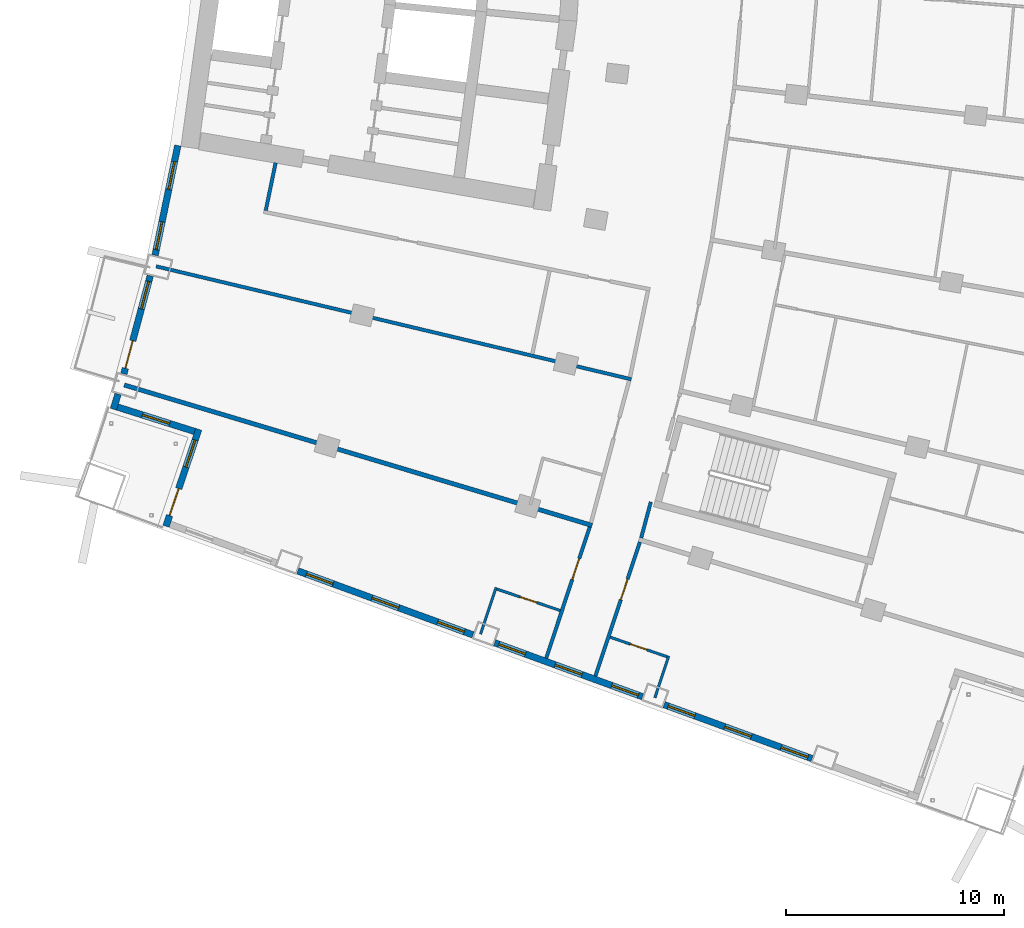
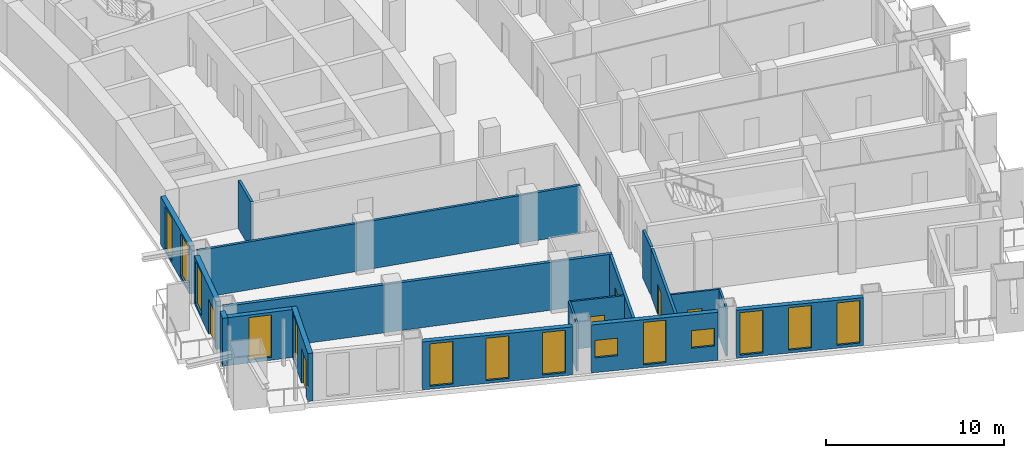
# One storey, part 13 of 25: 18 walls, 14 windows, 6 doors, 20 openings.
"""IFC4 building model written with IfcOpenShell, lengths in metres."""

from ifc_helpers import new_model, si_unit, direction, frame, frame_2d, origin, place, context, subcontext, project, spatial, rectangle, extrude, material, layer, layer_set, type_object, element, fill, save


model = new_model("IFC4")

# Units and contexts
model_context = context("Model", 3, precision=1e-05, world=origin(), true_north=direction((0.0, 1.0)))
body_context = subcontext(model_context, "Body", "Model", "MODEL_VIEW")
ifc_project = project(units=[si_unit("LENGTHUNIT", "METRE"), si_unit("AREAUNIT", "SQUARE_METRE"), si_unit("VOLUMEUNIT", "CUBIC_METRE"), si_unit("PLANEANGLEUNIT", "RADIAN"), si_unit("MASSUNIT", "GRAM", prefix="KILO")], contexts=[model_context])

# Site, building, storey
site_placement = place(None, origin())
site = spatial("IfcSite", under=ifc_project, at=site_placement, CompositionType="ELEMENT")
building_placement = place(site_placement, origin())
building = spatial("IfcBuilding", under=site, at=building_placement, Name="Alderwake Tower", CompositionType="ELEMENT")
storey_placement = place(building_placement, frame((0.0, 0.0, 122.0)))
storey = spatial("IfcBuildingStorey", under=building, at=storey_placement, Name="L30", CompositionType="ELEMENT", Elevation=122.0)

# Walls
ifc_material_1 = material(Name="Gypsum board on metal studs, rated")
ifc_layer_1 = layer(ifc_material_1, 0.159912109375)
ifc_layer_set_1 = layer_set([ifc_layer_1], Name="Corridor wall 160")
wall_type_1 = type_object("IfcWallType", Name="Corridor wall 160", PredefinedType="PARTITIONING", material=ifc_layer_set_1)
wall_1_placement = place(storey_placement, frame((13.884033203125, 38.68798828125, 0.0), z_axis=(0.0, 0.0, 1.0), x_axis=(0.972893462073, -0.231253781493, 0.0)))
element("IfcWall", 1, at=wall_1_placement, inside=storey, type_object=wall_type_1, Name="WL/L30/W16", PredefinedType="PARTITIONING", context=body_context, shape_type="SweptSolid", body=[
    extrude(rectangle(XDim=22.38037109375, YDim=0.159912109375, at=frame_2d((11.190185546875, 0.0))), origin(), (0.0, 0.0, 1.0), 3.280029296875),
])
wall_2_placement = place(storey_placement, frame((19.35888671875, 43.430908203125, 0.0), z_axis=(0.0, 0.0, 1.0), x_axis=(-0.202554916658, -0.979270905183, 0.0)))
element("IfcWall", 2, at=wall_2_placement, inside=storey, type_object=wall_type_1, Name="WL/L30/W19", PredefinedType="PARTITIONING", context=body_context, shape_type="SweptSolid", body=[
    extrude(rectangle(XDim=2.229736328125, YDim=0.159912109375, at=frame_2d((1.11474609375, 0.0))), origin(), (0.0, 0.0, 1.0), 3.280029296875),
])

# Wall, opening, door
wall_3_placement = place(storey_placement, frame((31.7548828125, 20.739013671875, 0.0), z_axis=(0.0, 0.0, 1.0), x_axis=(0.31554473692, 0.948910701279, 0.0)))
wall_3 = element("IfcWall", 3, at=wall_3_placement, inside=storey, type_object=wall_type_1, Name="WL/L30/W21", PredefinedType="PARTITIONING", context=body_context, shape_type="SweptSolid", body=[
    extrude(rectangle(XDim=6.327392578125, YDim=0.159912109375, at=frame_2d((3.16357421875, 0.0))), origin(), (0.0, 0.0, 1.0), 3.280029296875),
])
opening_1_placement = place(wall_3_placement, frame((3.799072265625, 0.0, 0.0)))
opening_1 = element("IfcOpeningElement", 4, at=opening_1_placement, cuts=wall_3, Name="Opening R08-U11.1", PredefinedType="OPENING", context=body_context, shape_type="SweptSolid", body=[
    extrude(rectangle(XDim=1.0, YDim=2.10009765625, at=frame_2d((0.5, 1.050048828125))), frame((0.0, 0.08984375, 0.0), z_axis=(0.0, -1.0, 0.0), x_axis=(1.0, 0.0, 0.0)), (0.0, 0.0, 1.0), 0.179931640625),
])
ifc_material_2 = material(Name="Solid timber leaf in steel frame", Category="steel")
door_type_1 = type_object("IfcDoorType", Name="Flat entrance door 1000 fire-rated", OperationType="SINGLE_SWING_LEFT", PredefinedType="DOOR", material=ifc_material_2)
door_1_placement = place(opening_1_placement, origin())
door_1 = element("IfcDoor", 5, at=door_1_placement, inside=storey, type_object=door_type_1, Name="DR/L30/U11.1", OperationType="SINGLE_SWING_LEFT", OverallHeight=2.10009765625, OverallWidth=1.0, PredefinedType="DOOR", context=body_context, shape_type="SweptSolid", body=[
    extrude(rectangle(XDim=1.0, YDim=2.10009765625, at=frame_2d((0.5, 1.050048828125))), frame((0.0, 0.02490234375, 0.0), z_axis=(0.0, -1.0, 0.0), x_axis=(1.0, 0.0, 0.0)), (0.0, 0.0, 1.0), 0.050048828125),
])
fill(opening_1, door_1)

wall_4_placement = place(storey_placement, frame((36.049560546875, 26.052978515625, 0.0), z_axis=(0.0, 0.0, 1.0), x_axis=(-0.315151894598, -0.949041244273, 0.0)))
wall_4 = element("IfcWall", 6, at=wall_4_placement, inside=storey, type_object=wall_type_1, Name="WL/L30/W23", PredefinedType="PARTITIONING", context=body_context, shape_type="SweptSolid", body=[
    extrude(rectangle(XDim=6.468505859375, YDim=0.159912109375, at=frame_2d((3.234375, 0.0))), origin(), (0.0, 0.0, 1.0), 3.280029296875),
])
opening_2_placement = place(wall_4_placement, frame((1.7822265625, 0.0, 0.0)))
opening_2 = element("IfcOpeningElement", 7, at=opening_2_placement, cuts=wall_4, Name="Opening R08-U03.1", PredefinedType="OPENING", context=body_context, shape_type="SweptSolid", body=[
    extrude(rectangle(XDim=1.0, YDim=2.10009765625, at=frame_2d((0.5, 1.050048828125))), frame((0.0, 0.08984375, 0.0), z_axis=(0.0, -1.0, 0.0), x_axis=(1.0, 0.0, 0.0)), (0.0, 0.0, 1.0), 0.179931640625),
])
door_2_placement = place(opening_2_placement, origin())
door_2 = element("IfcDoor", 8, at=door_2_placement, inside=storey, type_object=door_type_1, Name="DR/L30/U03.1", OperationType="SINGLE_SWING_LEFT", OverallHeight=2.10009765625, OverallWidth=1.0, PredefinedType="DOOR", context=body_context, shape_type="SweptSolid", body=[
    extrude(rectangle(XDim=1.0, YDim=2.10009765625, at=frame_2d((0.5, 1.050048828125))), frame((0.0, 0.02490234375, 0.0), z_axis=(0.0, -1.0, 0.0), x_axis=(1.0, 0.0, 0.0)), (0.0, 0.0, 1.0), 0.050048828125),
])
fill(opening_2, door_2)

# Walls
wall_5_placement = place(storey_placement, frame((36.10693359375, 26.24462890625, 0.0), z_axis=(0.0, 0.0, 1.0), x_axis=(0.259346865847, 0.965784242559, 0.0)))
element("IfcWall", 9, at=wall_5_placement, inside=storey, type_object=wall_type_1, Name="WL/L30/W27", PredefinedType="PARTITIONING", context=body_context, shape_type="SweptSolid", body=[
    extrude(rectangle(XDim=1.704833984375, YDim=0.159912109375, at=frame_2d((0.8525390625, 0.0))), origin(), (0.0, 0.0, 1.0), 3.280029296875),
])
ifc_material_3 = material(Name="Precast concrete C50/60 spandrel panel", Category="concrete")
ifc_layer_2 = layer(ifc_material_3, 0.300048828125)
ifc_layer_set_2 = layer_set([ifc_layer_2], Name="External wall EW1 Precast concrete C50/60 spandrel")
wall_type_2 = type_object("IfcWallType", Name="External wall EW1 Precast concrete C50/60 spandrel", PredefinedType="SOLIDWALL", material=ifc_layer_set_2)
wall_6_placement = place(storey_placement, frame((12.14013671875, 32.83837890625, 0.0), z_axis=(0.0, 0.0, 1.0), x_axis=(-0.294604532955, -0.955619259518, 0.0)))
element("IfcWall", 10, at=wall_6_placement, inside=storey, type_object=wall_type_2, Name="External wall 1", PredefinedType="SOLIDWALL", context=body_context, shape_type="SweptSolid", body=[
    extrude(rectangle(XDim=0.7275390625, YDim=0.300048828125, at=frame_2d((0.36376953125, 0.0))), origin(), (0.0, 0.0, 1.0), 3.280029296875),
])

# Wall, openings, windows
wall_7_placement = place(storey_placement, frame((14.878173828125, 44.223388671875, 0.0), z_axis=(0.0, 0.0, 1.0), x_axis=(-0.202723539143, -0.979236011734, 0.0)))
wall_7 = element("IfcWall", 11, at=wall_7_placement, inside=storey, type_object=wall_type_2, Name="External wall 35", PredefinedType="SOLIDWALL", context=body_context, shape_type="SweptSolid", body=[
    extrude(rectangle(XDim=5.134033203125, YDim=0.300048828125, at=frame_2d((2.56689453125, 0.0))), origin(), (0.0, 0.0, 1.0), 3.280029296875),
])
opening_3_placement = place(wall_7_placement, frame((0.75634765625, 0.0, 0.199951171875)))
opening_3 = element("IfcOpeningElement", 12, at=opening_3_placement, cuts=wall_7, Name="Opening W1", PredefinedType="OPENING", context=body_context, shape_type="SweptSolid", body=[
    extrude(rectangle(XDim=1.300048828125, YDim=2.89990234375, at=frame_2d((0.64990234375, 1.449951171875))), frame((0.0, 0.159912109375, 0.0), z_axis=(0.0, -1.0, 0.0), x_axis=(1.0, 0.0, 0.0)), (0.0, 0.0, 1.0), 0.320068359375),
])
opening_4_placement = place(wall_7_placement, frame((3.569091796875, 0.0, 0.199951171875)))
opening_4 = element("IfcOpeningElement", 13, at=opening_4_placement, cuts=wall_7, Name="Opening W1", PredefinedType="OPENING", context=body_context, shape_type="SweptSolid", body=[
    extrude(rectangle(XDim=1.300048828125, YDim=2.89990234375, at=frame_2d((0.64990234375, 1.449951171875))), frame((0.0, 0.159912109375, 0.0), z_axis=(0.0, -1.0, 0.0), x_axis=(1.0, 0.0, 0.0)), (0.0, 0.0, 1.0), 0.320068359375),
])
ifc_material_4 = material(Name="Bronze tinted glass in aluminium frame", Category="aluminium")
window_type_1 = type_object("IfcWindowType", Name="Window W1 tall fixed and vent", PartitioningType="DOUBLE_PANEL_VERTICAL", PredefinedType="WINDOW", material=ifc_material_4)
window_1_placement = place(opening_3_placement, origin())
window_1 = element("IfcWindow", 14, at=window_1_placement, inside=storey, type_object=window_type_1, Name="Window W1 tall fixed and vent", OverallHeight=2.89990234375, OverallWidth=1.300048828125, PartitioningType="DOUBLE_PANEL_VERTICAL", PredefinedType="WINDOW", context=body_context, shape_type="SweptSolid", body=[
    extrude(rectangle(XDim=1.300048828125, YDim=2.89990234375, at=frame_2d((0.64990234375, 1.449951171875))), frame((0.0, 0.030029296875, 0.0), z_axis=(0.0, -1.0, 0.0), x_axis=(1.0, 0.0, 0.0)), (0.0, 0.0, 1.0), 0.06005859375),
])
fill(opening_3, window_1)
window_2_placement = place(opening_4_placement, origin())
window_2 = element("IfcWindow", 15, at=window_2_placement, inside=storey, type_object=window_type_1, Name="Window W1 tall fixed and vent", OverallHeight=2.89990234375, OverallWidth=1.300048828125, PartitioningType="DOUBLE_PANEL_VERTICAL", PredefinedType="WINDOW", context=body_context, shape_type="SweptSolid", body=[
    extrude(rectangle(XDim=1.300048828125, YDim=2.89990234375, at=frame_2d((0.64990234375, 1.449951171875))), frame((0.0, 0.030029296875, 0.0), z_axis=(0.0, -1.0, 0.0), x_axis=(1.0, 0.0, 0.0)), (0.0, 0.0, 1.0), 0.06005859375),
])
fill(opening_4, window_2)

# Wall, openings, door, window
wall_8_placement = place(storey_placement, frame((13.61328125, 38.254150390625, 0.0), z_axis=(0.0, 0.0, 1.0), x_axis=(-0.259468933642, -0.965751454814, 0.0)))
wall_8 = element("IfcWall", 16, at=wall_8_placement, inside=storey, type_object=wall_type_2, Name="External wall 36", PredefinedType="SOLIDWALL", context=body_context, shape_type="SweptSolid", body=[
    extrude(rectangle(XDim=4.65087890625, YDim=0.300048828125, at=frame_2d((2.325439453125, 0.0))), origin(), (0.0, 0.0, 1.0), 3.280029296875),
])
opening_5_placement = place(wall_8_placement, frame((0.26708984375, 0.0, 0.199951171875)))
opening_5 = element("IfcOpeningElement", 17, at=opening_5_placement, cuts=wall_8, Name="Opening W1", PredefinedType="OPENING", context=body_context, shape_type="SweptSolid", body=[
    extrude(rectangle(XDim=1.300048828125, YDim=2.89990234375, at=frame_2d((0.64990234375, 1.449951171875))), frame((0.0, 0.159912109375, 0.0), z_axis=(0.0, -1.0, 0.0), x_axis=(1.0, 0.0, 0.0)), (0.0, 0.0, 1.0), 0.320068359375),
])
opening_6_placement = place(wall_8_placement, frame((3.083984375, 0.0, 0.0)))
opening_6 = element("IfcOpeningElement", 18, at=opening_6_placement, cuts=wall_8, Name="Opening D16", PredefinedType="OPENING", context=body_context, shape_type="SweptSolid", body=[
    extrude(rectangle(XDim=1.300048828125, YDim=2.39990234375, at=frame_2d((0.64990234375, 1.199951171875))), frame((0.0, 0.159912109375, 0.0), z_axis=(0.0, -1.0, 0.0), x_axis=(1.0, 0.0, 0.0)), (0.0, 0.0, 1.0), 0.320068359375),
])
ifc_material_5 = material(Name="Bronze tinted glass in aluminium frame", Category="aluminium")
door_type_2 = type_object("IfcDoorType", Name="Balcony door BD sliding", OperationType="SLIDING_TO_LEFT", PredefinedType="DOOR", material=ifc_material_5)
door_3_placement = place(opening_6_placement, origin())
door_3 = element("IfcDoor", 19, at=door_3_placement, inside=storey, type_object=door_type_2, Name="Door D16", OperationType="SLIDING_TO_LEFT", OverallHeight=2.39990234375, OverallWidth=1.300048828125, PredefinedType="DOOR", context=body_context, shape_type="SweptSolid", body=[
    extrude(rectangle(XDim=1.300048828125, YDim=2.39990234375, at=frame_2d((0.64990234375, 1.199951171875))), frame((0.0, 0.02490234375, 0.0), z_axis=(0.0, -1.0, 0.0), x_axis=(1.0, 0.0, 0.0)), (0.0, 0.0, 1.0), 0.050048828125),
])
fill(opening_6, door_3)
window_3_placement = place(opening_5_placement, origin())
window_3 = element("IfcWindow", 20, at=window_3_placement, inside=storey, type_object=window_type_1, Name="Window W1 tall fixed and vent", OverallHeight=2.89990234375, OverallWidth=1.300048828125, PartitioningType="DOUBLE_PANEL_VERTICAL", PredefinedType="WINDOW", context=body_context, shape_type="SweptSolid", body=[
    extrude(rectangle(XDim=1.300048828125, YDim=2.89990234375, at=frame_2d((0.64990234375, 1.449951171875))), frame((0.0, 0.030029296875, 0.0), z_axis=(0.0, -1.0, 0.0), x_axis=(1.0, 0.0, 0.0)), (0.0, 0.0, 1.0), 0.06005859375),
])
fill(opening_5, window_3)

# Wall, opening, window
ifc_material_6 = material(Name="Bronze metal cladding on lightweight framing")
ifc_layer_3 = layer(ifc_material_6, 0.300048828125)
ifc_layer_set_3 = layer_set([ifc_layer_3], Name="External wall EW2 bronze metal cladding")
wall_type_3 = type_object("IfcWallType", Name="External wall EW2 bronze metal cladding", PredefinedType="SOLIDWALL", material=ifc_layer_set_3)
wall_9_placement = place(storey_placement, frame((12.113037109375, 32.2412109375, 0.0), z_axis=(0.0, 0.0, 1.0), x_axis=(0.953458128271, -0.301525451054, 0.0)))
wall_9 = element("IfcWall", 21, at=wall_9_placement, inside=storey, type_object=wall_type_3, Name="External wall 2", PredefinedType="SOLIDWALL", context=body_context, shape_type="SweptSolid", body=[
    extrude(rectangle(XDim=3.705810546875, YDim=0.300048828125, at=frame_2d((1.85302734375, 0.0))), origin(), (0.0, 0.0, 1.0), 3.280029296875),
])
opening_7_placement = place(wall_9_placement, frame((1.202880859375, 0.0, 0.199951171875)))
opening_7 = element("IfcOpeningElement", 22, at=opening_7_placement, cuts=wall_9, Name="Opening W1", PredefinedType="OPENING", context=body_context, shape_type="SweptSolid", body=[
    extrude(rectangle(XDim=1.300048828125, YDim=2.89990234375, at=frame_2d((0.64990234375, 1.449951171875))), frame((0.0, 0.159912109375, 0.0), z_axis=(0.0, -1.0, 0.0), x_axis=(1.0, 0.0, 0.0)), (0.0, 0.0, 1.0), 0.320068359375),
])
window_4_placement = place(opening_7_placement, origin())
window_4 = element("IfcWindow", 23, at=window_4_placement, inside=storey, type_object=window_type_1, Name="Window W1 tall fixed and vent", OverallHeight=2.89990234375, OverallWidth=1.300048828125, PartitioningType="DOUBLE_PANEL_VERTICAL", PredefinedType="WINDOW", context=body_context, shape_type="SweptSolid", body=[
    extrude(rectangle(XDim=1.300048828125, YDim=2.89990234375, at=frame_2d((0.64990234375, 1.449951171875))), frame((0.0, 0.030029296875, 0.0), z_axis=(0.0, -1.0, 0.0), x_axis=(1.0, 0.0, 0.0)), (0.0, 0.0, 1.0), 0.06005859375),
])
fill(opening_7, window_4)

# Wall, openings, door, window
wall_10_placement = place(storey_placement, frame((15.83740234375, 31.220703125, 0.0), z_axis=(0.0, 0.0, 1.0), x_axis=(-0.32041006121, -0.947278941324, 0.0)))
wall_10 = element("IfcWall", 24, at=wall_10_placement, inside=storey, type_object=wall_type_3, Name="External wall 3", PredefinedType="SOLIDWALL", context=body_context, shape_type="SweptSolid", body=[
    extrude(rectangle(XDim=4.68994140625, YDim=0.300048828125, at=frame_2d((2.344970703125, 0.0))), origin(), (0.0, 0.0, 1.0), 3.280029296875),
])
opening_8_placement = place(wall_10_placement, frame((0.5224609375, 0.0, 0.199951171875)))
opening_8 = element("IfcOpeningElement", 25, at=opening_8_placement, cuts=wall_10, Name="Opening W1", PredefinedType="OPENING", context=body_context, shape_type="SweptSolid", body=[
    extrude(rectangle(XDim=1.300048828125, YDim=2.89990234375, at=frame_2d((0.64990234375, 1.449951171875))), frame((0.0, 0.159912109375, 0.0), z_axis=(0.0, -1.0, 0.0), x_axis=(1.0, 0.0, 0.0)), (0.0, 0.0, 1.0), 0.320068359375),
])
opening_9_placement = place(wall_10_placement, frame((2.867431640625, 0.0, 0.0)))
opening_9 = element("IfcOpeningElement", 26, at=opening_9_placement, cuts=wall_10, Name="Opening D01", PredefinedType="OPENING", context=body_context, shape_type="SweptSolid", body=[
    extrude(rectangle(XDim=1.300048828125, YDim=2.39990234375, at=frame_2d((0.64990234375, 1.199951171875))), frame((0.0, 0.159912109375, 0.0), z_axis=(0.0, -1.0, 0.0), x_axis=(1.0, 0.0, 0.0)), (0.0, 0.0, 1.0), 0.320068359375),
])
door_4_placement = place(opening_9_placement, origin())
door_4 = element("IfcDoor", 27, at=door_4_placement, inside=storey, type_object=door_type_2, Name="Door D01", OperationType="SLIDING_TO_LEFT", OverallHeight=2.39990234375, OverallWidth=1.300048828125, PredefinedType="DOOR", context=body_context, shape_type="SweptSolid", body=[
    extrude(rectangle(XDim=1.300048828125, YDim=2.39990234375, at=frame_2d((0.64990234375, 1.199951171875))), frame((0.0, 0.02490234375, 0.0), z_axis=(0.0, -1.0, 0.0), x_axis=(1.0, 0.0, 0.0)), (0.0, 0.0, 1.0), 0.050048828125),
])
fill(opening_9, door_4)
window_5_placement = place(opening_8_placement, origin())
window_5 = element("IfcWindow", 28, at=window_5_placement, inside=storey, type_object=window_type_1, Name="Window W1 tall fixed and vent", OverallHeight=2.89990234375, OverallWidth=1.300048828125, PartitioningType="DOUBLE_PANEL_VERTICAL", PredefinedType="WINDOW", context=body_context, shape_type="SweptSolid", body=[
    extrude(rectangle(XDim=1.300048828125, YDim=2.89990234375, at=frame_2d((0.64990234375, 1.449951171875))), frame((0.0, 0.030029296875, 0.0), z_axis=(0.0, -1.0, 0.0), x_axis=(1.0, 0.0, 0.0)), (0.0, 0.0, 1.0), 0.06005859375),
])
fill(opening_8, window_5)

# Wall, openings, windows
wall_11_placement = place(storey_placement, frame((20.375244140625, 24.73291015625, 0.0), z_axis=(0.0, 0.0, 1.0), x_axis=(0.939364770023, -0.342919566137, 0.0)))
wall_11 = element("IfcWall", 29, at=wall_11_placement, inside=storey, type_object=wall_type_3, Name="External wall 5", PredefinedType="SOLIDWALL", context=body_context, shape_type="SweptSolid", body=[
    extrude(rectangle(XDim=8.54541015625, YDim=0.300048828125, at=frame_2d((4.272705078125, 0.0))), origin(), (0.0, 0.0, 1.0), 3.280029296875),
])
opening_10_placement = place(wall_11_placement, frame((0.422607421875, 0.0, 0.199951171875)))
opening_10 = element("IfcOpeningElement", 30, at=opening_10_placement, cuts=wall_11, Name="Opening W1", PredefinedType="OPENING", context=body_context, shape_type="SweptSolid", body=[
    extrude(rectangle(XDim=1.300048828125, YDim=2.89990234375, at=frame_2d((0.64990234375, 1.449951171875))), frame((0.0, 0.159912109375, 0.0), z_axis=(0.0, -1.0, 0.0), x_axis=(1.0, 0.0, 0.0)), (0.0, 0.0, 1.0), 0.320068359375),
])
opening_11_placement = place(wall_11_placement, frame((3.622802734375, 0.0, 0.199951171875)))
opening_11 = element("IfcOpeningElement", 31, at=opening_11_placement, cuts=wall_11, Name="Opening W1", PredefinedType="OPENING", context=body_context, shape_type="SweptSolid", body=[
    extrude(rectangle(XDim=1.300048828125, YDim=2.89990234375, at=frame_2d((0.64990234375, 1.449951171875))), frame((0.0, 0.159912109375, 0.0), z_axis=(0.0, -1.0, 0.0), x_axis=(1.0, 0.0, 0.0)), (0.0, 0.0, 1.0), 0.320068359375),
])
opening_12_placement = place(wall_11_placement, frame((6.82275390625, 0.0, 0.199951171875)))
opening_12 = element("IfcOpeningElement", 32, at=opening_12_placement, cuts=wall_11, Name="Opening W1", PredefinedType="OPENING", context=body_context, shape_type="SweptSolid", body=[
    extrude(rectangle(XDim=1.300048828125, YDim=2.89990234375, at=frame_2d((0.64990234375, 1.449951171875))), frame((0.0, 0.159912109375, 0.0), z_axis=(0.0, -1.0, 0.0), x_axis=(1.0, 0.0, 0.0)), (0.0, 0.0, 1.0), 0.320068359375),
])
window_6_placement = place(opening_10_placement, origin())
window_6 = element("IfcWindow", 33, at=window_6_placement, inside=storey, type_object=window_type_1, Name="Window W1 tall fixed and vent", OverallHeight=2.89990234375, OverallWidth=1.300048828125, PartitioningType="DOUBLE_PANEL_VERTICAL", PredefinedType="WINDOW", context=body_context, shape_type="SweptSolid", body=[
    extrude(rectangle(XDim=1.300048828125, YDim=2.89990234375, at=frame_2d((0.64990234375, 1.449951171875))), frame((0.0, 0.030029296875, 0.0), z_axis=(0.0, -1.0, 0.0), x_axis=(1.0, 0.0, 0.0)), (0.0, 0.0, 1.0), 0.06005859375),
])
fill(opening_10, window_6)
window_7_placement = place(opening_11_placement, origin())
window_7 = element("IfcWindow", 34, at=window_7_placement, inside=storey, type_object=window_type_1, Name="Window W1 tall fixed and vent", OverallHeight=2.89990234375, OverallWidth=1.300048828125, PartitioningType="DOUBLE_PANEL_VERTICAL", PredefinedType="WINDOW", context=body_context, shape_type="SweptSolid", body=[
    extrude(rectangle(XDim=1.300048828125, YDim=2.89990234375, at=frame_2d((0.64990234375, 1.449951171875))), frame((0.0, 0.030029296875, 0.0), z_axis=(0.0, -1.0, 0.0), x_axis=(1.0, 0.0, 0.0)), (0.0, 0.0, 1.0), 0.06005859375),
])
fill(opening_11, window_7)
window_8_placement = place(opening_12_placement, origin())
window_8 = element("IfcWindow", 35, at=window_8_placement, inside=storey, type_object=window_type_1, Name="Window W1 tall fixed and vent", OverallHeight=2.89990234375, OverallWidth=1.300048828125, PartitioningType="DOUBLE_PANEL_VERTICAL", PredefinedType="WINDOW", context=body_context, shape_type="SweptSolid", body=[
    extrude(rectangle(XDim=1.300048828125, YDim=2.89990234375, at=frame_2d((0.64990234375, 1.449951171875))), frame((0.0, 0.030029296875, 0.0), z_axis=(0.0, -1.0, 0.0), x_axis=(1.0, 0.0, 0.0)), (0.0, 0.0, 1.0), 0.06005859375),
])
fill(opening_12, window_8)

wall_12_placement = place(storey_placement, frame((29.39306640625, 21.44091796875, 0.0), z_axis=(0.0, 0.0, 1.0), x_axis=(0.939375665231, -0.342889719256, 0.0)))
wall_12 = element("IfcWall", 36, at=wall_12_placement, inside=storey, type_object=wall_type_3, Name="External wall 6", PredefinedType="SOLIDWALL", context=body_context, shape_type="SweptSolid", body=[
    extrude(rectangle(XDim=7.212646484375, YDim=0.300048828125, at=frame_2d((3.6064453125, 0.0))), origin(), (0.0, 0.0, 1.0), 3.280029296875),
])
opening_13_placement = place(wall_12_placement, frame((0.20068359375, 0.0, 1.0)))
opening_13 = element("IfcOpeningElement", 37, at=opening_13_placement, cuts=wall_12, Name="Opening W2", PredefinedType="OPENING", context=body_context, shape_type="SweptSolid", body=[
    extrude(rectangle(XDim=1.300048828125, YDim=1.199951171875, at=frame_2d((0.64990234375, 0.60009765625))), frame((0.0, 0.159912109375, 0.0), z_axis=(0.0, -1.0, 0.0), x_axis=(1.0, 0.0, 0.0)), (0.0, 0.0, 1.0), 0.320068359375),
])
opening_14_placement = place(wall_12_placement, frame((2.956298828125, 0.0, 0.199951171875)))
opening_14 = element("IfcOpeningElement", 38, at=opening_14_placement, cuts=wall_12, Name="Opening W1", PredefinedType="OPENING", context=body_context, shape_type="SweptSolid", body=[
    extrude(rectangle(XDim=1.300048828125, YDim=2.89990234375, at=frame_2d((0.64990234375, 1.449951171875))), frame((0.0, 0.159912109375, 0.0), z_axis=(0.0, -1.0, 0.0), x_axis=(1.0, 0.0, 0.0)), (0.0, 0.0, 1.0), 0.320068359375),
])
opening_15_placement = place(wall_12_placement, frame((5.7119140625, 0.0, 1.0)))
opening_15 = element("IfcOpeningElement", 39, at=opening_15_placement, cuts=wall_12, Name="Opening W2", PredefinedType="OPENING", context=body_context, shape_type="SweptSolid", body=[
    extrude(rectangle(XDim=1.300048828125, YDim=1.199951171875, at=frame_2d((0.64990234375, 0.60009765625))), frame((0.0, 0.159912109375, 0.0), z_axis=(0.0, -1.0, 0.0), x_axis=(1.0, 0.0, 0.0)), (0.0, 0.0, 1.0), 0.320068359375),
])
window_9_placement = place(opening_14_placement, origin())
window_9 = element("IfcWindow", 40, at=window_9_placement, inside=storey, type_object=window_type_1, Name="Window W1 tall fixed and vent", OverallHeight=2.89990234375, OverallWidth=1.300048828125, PartitioningType="DOUBLE_PANEL_VERTICAL", PredefinedType="WINDOW", context=body_context, shape_type="SweptSolid", body=[
    extrude(rectangle(XDim=1.300048828125, YDim=2.89990234375, at=frame_2d((0.64990234375, 1.449951171875))), frame((0.0, 0.030029296875, 0.0), z_axis=(0.0, -1.0, 0.0), x_axis=(1.0, 0.0, 0.0)), (0.0, 0.0, 1.0), 0.06005859375),
])
fill(opening_14, window_9)
ifc_material_7 = material(Name="Bronze tinted glass in aluminium frame", Category="aluminium")
window_type_2 = type_object("IfcWindowType", Name="Window W2 kitchen and bath", PartitioningType="SINGLE_PANEL", PredefinedType="WINDOW", material=ifc_material_7)
window_10_placement = place(opening_13_placement, origin())
window_10 = element("IfcWindow", 41, at=window_10_placement, inside=storey, type_object=window_type_2, Name="Window W2 kitchen and bath", OverallHeight=1.199951171875, OverallWidth=1.300048828125, PartitioningType="SINGLE_PANEL", PredefinedType="WINDOW", context=body_context, shape_type="SweptSolid", body=[
    extrude(rectangle(XDim=1.300048828125, YDim=1.199951171875, at=frame_2d((0.64990234375, 0.60009765625))), frame((0.0, 0.030029296875, 0.0), z_axis=(0.0, -1.0, 0.0), x_axis=(1.0, 0.0, 0.0)), (0.0, 0.0, 1.0), 0.06005859375),
])
fill(opening_13, window_10)
window_11_placement = place(opening_15_placement, origin())
window_11 = element("IfcWindow", 42, at=window_11_placement, inside=storey, type_object=window_type_2, Name="Window W2 kitchen and bath", OverallHeight=1.199951171875, OverallWidth=1.300048828125, PartitioningType="SINGLE_PANEL", PredefinedType="WINDOW", context=body_context, shape_type="SweptSolid", body=[
    extrude(rectangle(XDim=1.300048828125, YDim=1.199951171875, at=frame_2d((0.64990234375, 0.60009765625))), frame((0.0, 0.030029296875, 0.0), z_axis=(0.0, -1.0, 0.0), x_axis=(1.0, 0.0, 0.0)), (0.0, 0.0, 1.0), 0.06005859375),
])
fill(opening_15, window_11)

wall_13_placement = place(storey_placement, frame((37.15869140625, 18.6064453125, 0.0), z_axis=(0.0, 0.0, 1.0), x_axis=(0.939364762064, -0.342919587939, 0.0)))
wall_13 = element("IfcWall", 43, at=wall_13_placement, inside=storey, type_object=wall_type_3, Name="External wall 7", PredefinedType="SOLIDWALL", context=body_context, shape_type="SweptSolid", body=[
    extrude(rectangle(XDim=7.212646484375, YDim=0.300048828125, at=frame_2d((3.6064453125, 0.0))), origin(), (0.0, 0.0, 1.0), 3.280029296875),
])
opening_16_placement = place(wall_13_placement, frame((0.20068359375, 0.0, 0.199951171875)))
opening_16 = element("IfcOpeningElement", 44, at=opening_16_placement, cuts=wall_13, Name="Opening W1", PredefinedType="OPENING", context=body_context, shape_type="SweptSolid", body=[
    extrude(rectangle(XDim=1.300048828125, YDim=2.89990234375, at=frame_2d((0.64990234375, 1.449951171875))), frame((0.0, 0.159912109375, 0.0), z_axis=(0.0, -1.0, 0.0), x_axis=(1.0, 0.0, 0.0)), (0.0, 0.0, 1.0), 0.320068359375),
])
opening_17_placement = place(wall_13_placement, frame((2.956298828125, 0.0, 0.199951171875)))
opening_17 = element("IfcOpeningElement", 45, at=opening_17_placement, cuts=wall_13, Name="Opening W1", PredefinedType="OPENING", context=body_context, shape_type="SweptSolid", body=[
    extrude(rectangle(XDim=1.300048828125, YDim=2.89990234375, at=frame_2d((0.64990234375, 1.449951171875))), frame((0.0, 0.159912109375, 0.0), z_axis=(0.0, -1.0, 0.0), x_axis=(1.0, 0.0, 0.0)), (0.0, 0.0, 1.0), 0.320068359375),
])
opening_18_placement = place(wall_13_placement, frame((5.7119140625, 0.0, 0.199951171875)))
opening_18 = element("IfcOpeningElement", 46, at=opening_18_placement, cuts=wall_13, Name="Opening W1", PredefinedType="OPENING", context=body_context, shape_type="SweptSolid", body=[
    extrude(rectangle(XDim=1.300048828125, YDim=2.89990234375, at=frame_2d((0.64990234375, 1.449951171875))), frame((0.0, 0.159912109375, 0.0), z_axis=(0.0, -1.0, 0.0), x_axis=(1.0, 0.0, 0.0)), (0.0, 0.0, 1.0), 0.320068359375),
])
window_12_placement = place(opening_16_placement, origin())
window_12 = element("IfcWindow", 47, at=window_12_placement, inside=storey, type_object=window_type_1, Name="Window W1 tall fixed and vent", OverallHeight=2.89990234375, OverallWidth=1.300048828125, PartitioningType="DOUBLE_PANEL_VERTICAL", PredefinedType="WINDOW", context=body_context, shape_type="SweptSolid", body=[
    extrude(rectangle(XDim=1.300048828125, YDim=2.89990234375, at=frame_2d((0.64990234375, 1.449951171875))), frame((0.0, 0.030029296875, 0.0), z_axis=(0.0, -1.0, 0.0), x_axis=(1.0, 0.0, 0.0)), (0.0, 0.0, 1.0), 0.06005859375),
])
fill(opening_16, window_12)
window_13_placement = place(opening_17_placement, origin())
window_13 = element("IfcWindow", 48, at=window_13_placement, inside=storey, type_object=window_type_1, Name="Window W1 tall fixed and vent", OverallHeight=2.89990234375, OverallWidth=1.300048828125, PartitioningType="DOUBLE_PANEL_VERTICAL", PredefinedType="WINDOW", context=body_context, shape_type="SweptSolid", body=[
    extrude(rectangle(XDim=1.300048828125, YDim=2.89990234375, at=frame_2d((0.64990234375, 1.449951171875))), frame((0.0, 0.030029296875, 0.0), z_axis=(0.0, -1.0, 0.0), x_axis=(1.0, 0.0, 0.0)), (0.0, 0.0, 1.0), 0.06005859375),
])
fill(opening_17, window_13)
window_14_placement = place(opening_18_placement, origin())
window_14 = element("IfcWindow", 49, at=window_14_placement, inside=storey, type_object=window_type_1, Name="Window W1 tall fixed and vent", OverallHeight=2.89990234375, OverallWidth=1.300048828125, PartitioningType="DOUBLE_PANEL_VERTICAL", PredefinedType="WINDOW", context=body_context, shape_type="SweptSolid", body=[
    extrude(rectangle(XDim=1.300048828125, YDim=2.89990234375, at=frame_2d((0.64990234375, 1.449951171875))), frame((0.0, 0.030029296875, 0.0), z_axis=(0.0, -1.0, 0.0), x_axis=(1.0, 0.0, 0.0)), (0.0, 0.0, 1.0), 0.06005859375),
])
fill(opening_18, window_14)

# Walls
ifc_material_8 = material(Name="Dense block masonry wall", Category="masonry")
ifc_layer_4 = layer(ifc_material_8, 0.199951171875)
ifc_layer_set_4 = layer_set([ifc_layer_4], Name="Party wall 200")
wall_type_4 = type_object("IfcWallType", Name="Party wall 200", PredefinedType="SOLIDWALL", material=ifc_layer_set_4)
wall_14_placement = place(storey_placement, frame((33.859619140625, 26.81494140625, 0.0), z_axis=(0.0, 0.0, 1.0), x_axis=(-0.95775179957, 0.287596054251, 0.0)))
element("IfcWall", 50, at=wall_14_placement, inside=storey, type_object=wall_type_4, Name="WL/L30/W03", PredefinedType="SOLIDWALL", context=body_context, shape_type="SweptSolid", body=[
    extrude(rectangle(XDim=22.382080078125, YDim=0.199951171875, at=frame_2d((11.19091796875, 0.0))), origin(), (0.0, 0.0, 1.0), 3.280029296875),
])
ifc_material_9 = material(Name="Moisture resistant gypsum board on metal studs")
ifc_layer_5 = layer(ifc_material_9, 0.1201171875)
ifc_layer_set_5 = layer_set([ifc_layer_5], Name="Wet room partition 120")
wall_type_5 = type_object("IfcWallType", Name="Wet room partition 120", PredefinedType="PARTITIONING", material=ifc_layer_set_5)
wall_15_placement = place(storey_placement, frame((29.4609375, 23.975830078125, 0.0), z_axis=(0.0, 0.0, 1.0), x_axis=(-0.31580536125, -0.948823995168, 0.0)))
element("IfcWall", 51, at=wall_15_placement, inside=storey, type_object=wall_type_5, Name="WL/L30/W45", PredefinedType="PARTITIONING", context=body_context, shape_type="SweptSolid", body=[
    extrude(rectangle(XDim=2.25439453125, YDim=0.1201171875, at=frame_2d((1.127197265625, 0.0))), origin(), (0.0, 0.0, 1.0), 3.280029296875),
])

# Wall, opening, door
wall_16_placement = place(storey_placement, frame((32.396240234375, 22.918701171875, 0.0), z_axis=(0.0, 0.0, 1.0), x_axis=(-0.947164130145, 0.320749295505, 0.0)))
wall_16 = element("IfcWall", 52, at=wall_16_placement, inside=storey, type_object=wall_type_5, Name="WL/L30/W48", PredefinedType="PARTITIONING", context=body_context, shape_type="SweptSolid", body=[
    extrude(rectangle(XDim=3.05908203125, YDim=0.1201171875, at=frame_2d((1.529541015625, 0.0))), origin(), (0.0, 0.0, 1.0), 3.280029296875),
])
opening_19_placement = place(wall_16_placement, frame((1.12939453125, 0.0, 0.0)))
opening_19 = element("IfcOpeningElement", 53, at=opening_19_placement, cuts=wall_16, Name="Opening R08-U11.2", PredefinedType="OPENING", context=body_context, shape_type="SweptSolid", body=[
    extrude(rectangle(XDim=0.800048828125, YDim=2.10009765625, at=frame_2d((0.39990234375, 1.050048828125))), frame((0.0, 0.070068359375, 0.0), z_axis=(0.0, -1.0, 0.0), x_axis=(1.0, 0.0, 0.0)), (0.0, 0.0, 1.0), 0.14013671875),
])
ifc_material_10 = material(Name="Painted timber leaf", Category="wood")
door_type_3 = type_object("IfcDoorType", Name="Bathroom door 800", OperationType="SINGLE_SWING_LEFT", PredefinedType="DOOR", material=ifc_material_10)
door_5_placement = place(opening_19_placement, origin())
door_5 = element("IfcDoor", 54, at=door_5_placement, inside=storey, type_object=door_type_3, Name="DR/L30/U11.2", OperationType="SINGLE_SWING_LEFT", OverallHeight=2.10009765625, OverallWidth=0.800048828125, PredefinedType="DOOR", context=body_context, shape_type="SweptSolid", body=[
    extrude(rectangle(XDim=0.800048828125, YDim=2.10009765625, at=frame_2d((0.39990234375, 1.050048828125))), frame((0.0, 0.02490234375, 0.0), z_axis=(0.0, -1.0, 0.0), x_axis=(1.0, 0.0, 0.0)), (0.0, 0.0, 1.0), 0.050048828125),
])
fill(opening_19, door_5)

# Wall
wall_17_placement = place(storey_placement, frame((36.735107421875, 18.9208984375, 0.0), z_axis=(0.0, 0.0, 1.0), x_axis=(0.315212330495, 0.949021172948, 0.0)))
element("IfcWall", 55, at=wall_17_placement, inside=storey, type_object=wall_type_5, Name="WL/L30/W51", PredefinedType="PARTITIONING", context=body_context, shape_type="SweptSolid", body=[
    extrude(rectangle(XDim=2.02001953125, YDim=0.1201171875, at=frame_2d((1.010009765625, 0.0))), origin(), (0.0, 0.0, 1.0), 3.280029296875),
])

# Wall, opening, door
wall_18_placement = place(storey_placement, frame((37.29638671875, 20.800537109375, 0.0), z_axis=(0.0, 0.0, 1.0), x_axis=(-0.94575033225, 0.324894304427, 0.0)))
wall_18 = element("IfcWall", 56, at=wall_18_placement, inside=storey, type_object=wall_type_5, Name="WL/L30/W52", PredefinedType="PARTITIONING", context=body_context, shape_type="SweptSolid", body=[
    extrude(rectangle(XDim=2.75927734375, YDim=0.1201171875, at=frame_2d((1.379638671875, 0.0))), origin(), (0.0, 0.0, 1.0), 3.280029296875),
])
opening_20_placement = place(wall_18_placement, frame((0.9794921875, 0.0, 0.0)))
opening_20 = element("IfcOpeningElement", 57, at=opening_20_placement, cuts=wall_18, Name="Opening R08-U03.2", PredefinedType="OPENING", context=body_context, shape_type="SweptSolid", body=[
    extrude(rectangle(XDim=0.800048828125, YDim=2.10009765625, at=frame_2d((0.39990234375, 1.050048828125))), frame((0.0, 0.070068359375, 0.0), z_axis=(0.0, -1.0, 0.0), x_axis=(1.0, 0.0, 0.0)), (0.0, 0.0, 1.0), 0.14013671875),
])
door_6_placement = place(opening_20_placement, origin())
door_6 = element("IfcDoor", 58, at=door_6_placement, inside=storey, type_object=door_type_3, Name="DR/L30/U03.2", OperationType="SINGLE_SWING_LEFT", OverallHeight=2.10009765625, OverallWidth=0.800048828125, PredefinedType="DOOR", context=body_context, shape_type="SweptSolid", body=[
    extrude(rectangle(XDim=0.800048828125, YDim=2.10009765625, at=frame_2d((0.39990234375, 1.050048828125))), frame((0.0, 0.02490234375, 0.0), z_axis=(0.0, -1.0, 0.0), x_axis=(1.0, 0.0, 0.0)), (0.0, 0.0, 1.0), 0.050048828125),
])
fill(opening_20, door_6)

save(model, "model.ifc")
